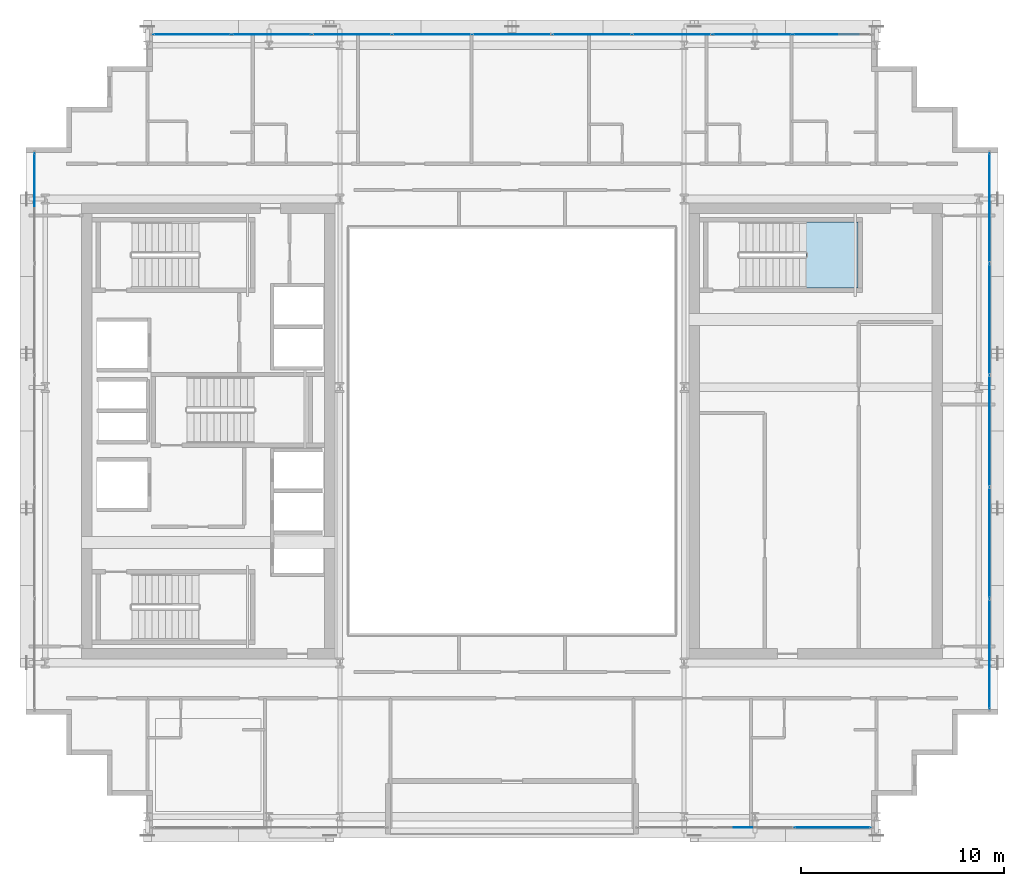
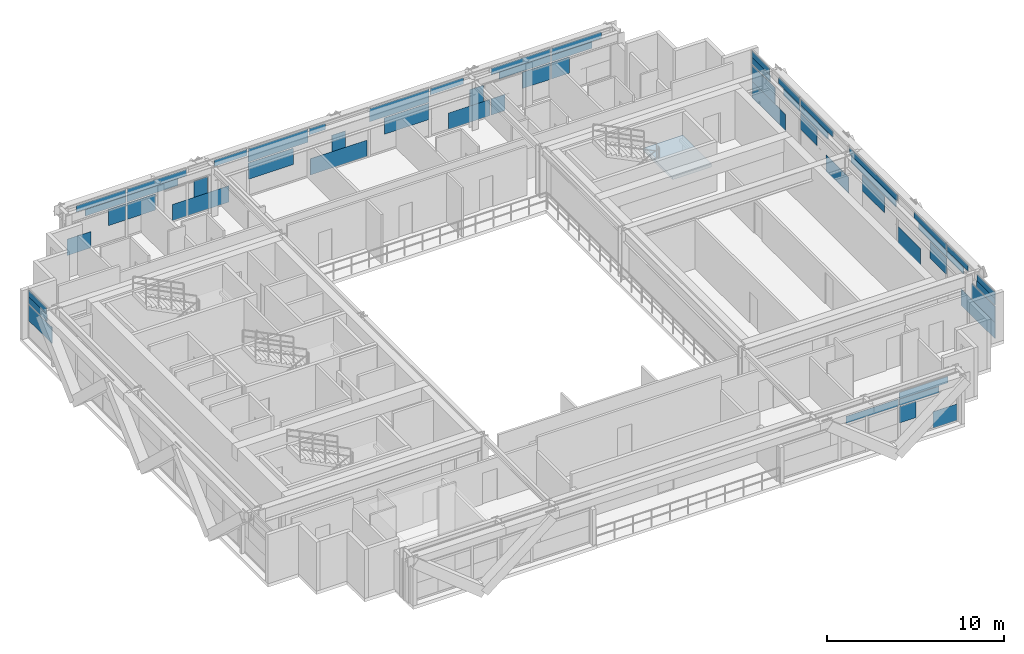
# One storey, part 21 of 32: 59 plates, 1 slab, 5 elements without a shape of their own.
"""IFC4 building model written with IfcOpenShell, lengths in metres."""

from ifc_helpers import new_model, si_unit, direction, frame, origin, origin_2d, place, context, subcontext, project, spatial, polyline, rectangle, outline, extrude, source, transform, mapped, material, layer, layer_set, type_object, element, aggregate, save


model = new_model("IFC4")

# Units and contexts
model_context = context("Model", 3, precision=1e-05, world=origin(), true_north=direction((0.0, 1.0)))
body_context = subcontext(model_context, "Body", "Model", "MODEL_VIEW")
ifc_project = project(units=[si_unit("LENGTHUNIT", "METRE"), si_unit("AREAUNIT", "SQUARE_METRE"), si_unit("VOLUMEUNIT", "CUBIC_METRE"), si_unit("PLANEANGLEUNIT", "RADIAN"), si_unit("MASSUNIT", "GRAM", prefix="KILO")], contexts=[model_context])

# Site, building, storey
site_placement = place(None, origin())
site = spatial("IfcSite", under=ifc_project, at=site_placement, CompositionType="ELEMENT")
building_placement = place(site_placement, origin())
building = spatial("IfcBuilding", under=site, at=building_placement, Name="Ocotamira Hotel", CompositionType="ELEMENT")
storey_placement = place(building_placement, frame((0.0, 0.0, 184.800048828125)))
storey = spatial("IfcBuildingStorey", under=building, at=storey_placement, Name="L46", CompositionType="ELEMENT", Elevation=184.800048828125)

# Stair, slab
ifc_material_1 = material(Name="Concrete C40/50", Category="concrete")
stair_type = type_object("IfcStairType", Name="ST-CORE-1560", PredefinedType="HALF_TURN_STAIR", material=ifc_material_1)
stair_placement = place(storey_placement, origin())
stair = element("IfcStair", 1, at=stair_placement, inside=storey, type_object=stair_type, Name="L46 Exit Stair ST-4", PredefinedType="HALF_TURN_STAIR")
ifc_layer_1 = layer(ifc_material_1, 0.199951171875)
ifc_layer_set_1 = layer_set([ifc_layer_1], Name="Concrete C40/50")
slab_type = type_object("IfcSlabType", Name="SLB-LAND-200", PredefinedType="LANDING", material=ifc_layer_set_1)
slab_placement = place(storey_placement, frame((0.0, 0.0, 1.599853515625)))
slab = element("IfcSlab", 2, at=slab_placement, type_object=slab_type, Name="ST-4 landing 1", PredefinedType="LANDING", context=body_context, shape_type="SweptSolid", body=[
    extrude(outline(polyline([(46.530029296875, 33.050048828125), (49.090087890625, 33.050048828125), (49.090087890625, 36.330078125), (46.530029296875, 36.330078125), (46.530029296875, 33.050048828125)])), origin(), (0.0, 0.0, 1.0), 0.2001953125),
])
aggregate(stair, [slab])

# Curtain wall, plate
ifc_material_2 = material(Name="Anodised pale-metal aluminium and solar glass", Category="aluminium")
ifc_layer_2 = layer(ifc_material_2, 0.199951171875)
ifc_layer_set_2 = layer_set([ifc_layer_2], Name="Anodised pale-metal aluminium and solar glass")
curtain_wall_type = type_object("IfcCurtainWallType", Name="CW-SYS4-Z3", PredefinedType="NOTDEFINED", material=ifc_layer_set_2)
curtain_wall_1_placement = place(storey_placement, origin())
curtain_wall_1 = element("IfcCurtainWall", 3, at=curtain_wall_1_placement, inside=storey, type_object=curtain_wall_type, Name="L46 Curtain Wall CW-4 CW-L46-S2", PredefinedType="NOTDEFINED")
ifc_material_3 = material(Name="Double-silver low-E insulated solar glass", Category="glass")
ifc_layer_3 = layer(ifc_material_3, 0.031982421875)
ifc_layer_set_3 = layer_set([ifc_layer_3], Name="Double-silver low-E insulated solar glass")
plate_type = type_object("IfcPlateType", Name="CWP-VISION-32", PredefinedType="CURTAIN_PANEL", material=ifc_layer_set_3)
shared_shape_1 = source(origin(), body_context, "Body", "SweptSolid", [
    extrude(rectangle(XDim=1.5673828125, YDim=0.031982421875, at=origin_2d()), origin(), (0.0, 0.0, 1.0), 1.118896484375),
])
plate_1_placement = place(storey_placement, frame((48.936279296875, 6.419921875, 0.07470703125), z_axis=(0.0, 0.0, 1.0), x_axis=(1.0, 0.0, 0.0)))
plate_1 = element("IfcPlate", 4, at=plate_1_placement, type_object=plate_type, Name="CW-4 panel 3.1.2", PredefinedType="CURTAIN_PANEL", context=body_context, shape_type="MappedRepresentation", body=[
    mapped(shared_shape_1, transform((0.0, 0.0, 0.0), scale=1.0)),
])

# Curtain wall, plates
curtain_wall_2_placement = place(storey_placement, origin())
curtain_wall_2 = element("IfcCurtainWall", 5, at=curtain_wall_2_placement, inside=storey, type_object=curtain_wall_type, Name="L46 Curtain Wall CW-4 CW-L46-N", PredefinedType="NOTDEFINED")
plate_2_placement = place(storey_placement, frame((15.063720703125, 45.580078125, 0.07470703125), z_axis=(0.0, 0.0, 1.0), x_axis=(1.0, 0.0, 0.0)))
plate_2 = element("IfcPlate", 6, at=plate_2_placement, type_object=plate_type, Name="CW-4 panel 1.1.1", PredefinedType="CURTAIN_PANEL", context=body_context, shape_type="MappedRepresentation", body=[
    mapped(shared_shape_1, transform((0.0, 0.0, 0.0), scale=1.0)),
])
shared_shape_2 = source(origin(), body_context, "Body", "SweptSolid", [
    extrude(rectangle(XDim=3.233154296875, YDim=0.031982421875, at=origin_2d()), origin(), (0.0, 0.0, 1.0), 0.4326171875),
])
plate_3_placement = place(storey_placement, frame((16.4990234375, 45.580078125, 2.8623046875), z_axis=(0.0, 0.0, 1.0), x_axis=(1.0, 0.0, 0.0)))
plate_3 = element("IfcPlate", 7, at=plate_3_placement, type_object=plate_type, Name="CW-4 panel 1.2.1", PredefinedType="CURTAIN_PANEL", context=body_context, shape_type="MappedRepresentation", body=[
    mapped(shared_shape_2, transform((0.0, 0.0, 0.0), scale=1.0)),
])
plate_4_placement = place(storey_placement, frame((47.5009765625, 45.580078125, 2.8623046875), z_axis=(0.0, 0.0, 1.0), x_axis=(1.0, 0.0, 0.0)))
plate_4 = element("IfcPlate", 8, at=plate_4_placement, type_object=plate_type, Name="CW-4 panel 9.2.2", PredefinedType="CURTAIN_PANEL", context=body_context, shape_type="MappedRepresentation", body=[
    mapped(shared_shape_2, transform((0.0, 0.0, 0.0), scale=1.0)),
])
shared_shape_3 = source(origin(), body_context, "Body", "SweptSolid", [
    extrude(rectangle(XDim=2.6396484375, YDim=0.031982421875, at=origin_2d()), origin(), (0.0, 0.0, 1.0), 0.443603515625),
])
plate_5_placement = place(storey_placement, frame((16.795654296875, 45.580078125, 2.38720703125), z_axis=(0.0, 0.0, 1.0), x_axis=(1.0, 0.0, 0.0)))
plate_5 = element("IfcPlate", 9, at=plate_5_placement, type_object=plate_type, Name="CW-4 panel 1.2.2", PredefinedType="CURTAIN_PANEL", context=body_context, shape_type="MappedRepresentation", body=[
    mapped(shared_shape_3, transform((0.0, 0.0, 0.0), scale=1.0)),
])
plate_6_placement = place(storey_placement, frame((47.204345703125, 45.580078125, 2.38720703125), z_axis=(0.0, 0.0, 1.0), x_axis=(1.0, 0.0, 0.0)))
plate_6 = element("IfcPlate", 10, at=plate_6_placement, type_object=plate_type, Name="CW-4 panel 9.2.1", PredefinedType="CURTAIN_PANEL", context=body_context, shape_type="MappedRepresentation", body=[
    mapped(shared_shape_3, transform((0.0, 0.0, 0.0), scale=1.0)),
])
shared_shape_4 = source(origin(), body_context, "Body", "SweptSolid", [
    extrude(rectangle(XDim=0.918701171875, YDim=0.031982421875, at=origin_2d()), origin(), (0.0, 0.0, 1.0), 1.118896484375),
])
plate_7_placement = place(storey_placement, frame((21.61181640625, 45.580078125, 0.07470703125), z_axis=(0.0, 0.0, 1.0), x_axis=(1.0, 0.0, 0.0)))
plate_7 = element("IfcPlate", 11, at=plate_7_placement, type_object=plate_type, Name="CW-4 panel 2.1.2", PredefinedType="CURTAIN_PANEL", context=body_context, shape_type="MappedRepresentation", body=[
    mapped(shared_shape_4, transform((0.0, 0.0, 0.0), scale=1.0)),
])
plate_8_placement = place(storey_placement, frame((42.38818359375, 45.580078125, 0.07470703125), z_axis=(0.0, 0.0, 1.0), x_axis=(1.0, 0.0, 0.0)))
plate_8 = element("IfcPlate", 12, at=plate_8_placement, type_object=plate_type, Name="CW-4 panel 8.1.1", PredefinedType="CURTAIN_PANEL", context=body_context, shape_type="MappedRepresentation", body=[
    mapped(shared_shape_4, transform((0.0, 0.0, 0.0), scale=1.0)),
])
shared_shape_5 = source(origin(), body_context, "Body", "SweptSolid", [
    extrude(rectangle(XDim=3.32861328125, YDim=0.031982421875, at=origin_2d()), origin(), (0.0, 0.0, 1.0), 0.474853515625),
])
plate_9_placement = place(storey_placement, frame((19.85986328125, 45.580078125, 2.38720703125), z_axis=(0.0, 0.0, 1.0), x_axis=(1.0, 0.0, 0.0)))
plate_9 = element("IfcPlate", 13, at=plate_9_placement, type_object=plate_type, Name="CW-4 panel 2.2.1", PredefinedType="CURTAIN_PANEL", context=body_context, shape_type="MappedRepresentation", body=[
    mapped(shared_shape_5, transform((0.0, 0.0, 0.0), scale=1.0)),
])
plate_10_placement = place(storey_placement, frame((44.14013671875, 45.580078125, 2.38720703125), z_axis=(0.0, 0.0, 1.0), x_axis=(1.0, 0.0, 0.0)))
plate_10 = element("IfcPlate", 14, at=plate_10_placement, type_object=plate_type, Name="CW-4 panel 8.2.2", PredefinedType="CURTAIN_PANEL", context=body_context, shape_type="MappedRepresentation", body=[
    mapped(shared_shape_5, transform((0.0, 0.0, 0.0), scale=1.0)),
])
shared_shape_6 = source(origin(), body_context, "Body", "SweptSolid", [
    extrude(rectangle(XDim=3.87548828125, YDim=0.031982421875, at=origin_2d()), origin(), (0.0, 0.0, 1.0), 0.4326171875),
])
plate_11_placement = place(storey_placement, frame((20.13330078125, 45.580078125, 2.8623046875), z_axis=(0.0, 0.0, 1.0), x_axis=(1.0, 0.0, 0.0)))
plate_11 = element("IfcPlate", 15, at=plate_11_placement, type_object=plate_type, Name="CW-4 panel 2.2.2", PredefinedType="CURTAIN_PANEL", context=body_context, shape_type="MappedRepresentation", body=[
    mapped(shared_shape_6, transform((0.0, 0.0, 0.0), scale=1.0)),
])
plate_12_placement = place(storey_placement, frame((43.86669921875, 45.580078125, 2.8623046875), z_axis=(0.0, 0.0, 1.0), x_axis=(1.0, 0.0, 0.0)))
plate_12 = element("IfcPlate", 16, at=plate_12_placement, type_object=plate_type, Name="CW-4 panel 8.2.1", PredefinedType="CURTAIN_PANEL", context=body_context, shape_type="MappedRepresentation", body=[
    mapped(shared_shape_6, transform((0.0, 0.0, 0.0), scale=1.0)),
])
shared_shape_7 = source(origin(), body_context, "Body", "SweptSolid", [
    extrude(rectangle(XDim=2.6962890625, YDim=0.031982421875, at=origin_2d()), origin(), (0.0, 0.0, 1.0), 1.118896484375),
])
plate_13_placement = place(storey_placement, frame((23.499267578125, 45.580078125, 0.07470703125), z_axis=(0.0, 0.0, 1.0), x_axis=(1.0, 0.0, 0.0)))
plate_13 = element("IfcPlate", 17, at=plate_13_placement, type_object=plate_type, Name="CW-4 panel 3.1.1", PredefinedType="CURTAIN_PANEL", context=body_context, shape_type="MappedRepresentation", body=[
    mapped(shared_shape_7, transform((0.0, 0.0, 0.0), scale=1.0)),
])
plate_14_placement = place(storey_placement, frame((40.500732421875, 45.580078125, 0.07470703125), z_axis=(0.0, 0.0, 1.0), x_axis=(1.0, 0.0, 0.0)))
plate_14 = element("IfcPlate", 18, at=plate_14_placement, type_object=plate_type, Name="CW-4 panel 7.1.1", PredefinedType="CURTAIN_PANEL", context=body_context, shape_type="MappedRepresentation", body=[
    mapped(shared_shape_7, transform((0.0, 0.0, 0.0), scale=1.0)),
])
shared_shape_8 = source(origin(), body_context, "Body", "SweptSolid", [
    extrude(rectangle(XDim=2.144287109375, YDim=0.031982421875, at=origin_2d()), origin(), (0.0, 0.0, 1.0), 0.4326171875),
])
plate_15_placement = place(storey_placement, frame((24.95458984375, 45.580078125, 2.8623046875), z_axis=(0.0, 0.0, 1.0), x_axis=(1.0, 0.0, 0.0)))
plate_15 = element("IfcPlate", 19, at=plate_15_placement, type_object=plate_type, Name="CW-4 panel 3.2.1", PredefinedType="CURTAIN_PANEL", context=body_context, shape_type="MappedRepresentation", body=[
    mapped(shared_shape_8, transform((0.0, 0.0, 0.0), scale=1.0)),
])
plate_16_placement = place(storey_placement, frame((39.04541015625, 45.580078125, 2.8623046875), z_axis=(0.0, 0.0, 1.0), x_axis=(1.0, 0.0, 0.0)))
plate_16 = element("IfcPlate", 20, at=plate_16_placement, type_object=plate_type, Name="CW-4 panel 7.2.1", PredefinedType="CURTAIN_PANEL", context=body_context, shape_type="MappedRepresentation", body=[
    mapped(shared_shape_8, transform((0.0, 0.0, 0.0), scale=1.0)),
])
shared_shape_9 = source(origin(), body_context, "Body", "SweptSolid", [
    extrude(rectangle(XDim=3.87548828125, YDim=0.031982421875, at=origin_2d()), origin(), (0.0, 0.0, 1.0), 0.907470703125),
])
plate_17_placement = place(storey_placement, frame((28.04443359375, 45.580078125, 2.3876953125), z_axis=(0.0, 0.0, 1.0), x_axis=(1.0, 0.0, 0.0)))
plate_17 = element("IfcPlate", 21, at=plate_17_placement, type_object=plate_type, Name="CW-4 panel 4.2", PredefinedType="CURTAIN_PANEL", context=body_context, shape_type="MappedRepresentation", body=[
    mapped(shared_shape_9, transform((0.0, 0.0, 0.0), scale=1.0)),
])
plate_18_placement = place(storey_placement, frame((35.95556640625, 45.580078125, 2.3876953125), z_axis=(0.0, 0.0, 1.0), x_axis=(1.0, 0.0, 0.0)))
plate_18 = element("IfcPlate", 22, at=plate_18_placement, type_object=plate_type, Name="CW-4 panel 6.2", PredefinedType="CURTAIN_PANEL", context=body_context, shape_type="MappedRepresentation", body=[
    mapped(shared_shape_9, transform((0.0, 0.0, 0.0), scale=1.0)),
])
shared_shape_10 = source(origin(), body_context, "Body", "SweptSolid", [
    extrude(rectangle(XDim=3.695068359375, YDim=0.031982421875, at=origin_2d()), origin(), (0.0, 0.0, 1.0), 1.118896484375),
])
plate_19_placement = place(storey_placement, frame((32.0, 45.580078125, 0.07470703125), z_axis=(0.0, 0.0, 1.0), x_axis=(1.0, 0.0, 0.0)))
plate_19 = element("IfcPlate", 23, at=plate_19_placement, type_object=plate_type, Name="CW-4 panel 5.1.1", PredefinedType="CURTAIN_PANEL", context=body_context, shape_type="MappedRepresentation", body=[
    mapped(shared_shape_10, transform((0.0, 0.0, 0.0), scale=1.0)),
])
shared_shape_11 = source(origin(), body_context, "Body", "SweptSolid", [
    extrude(rectangle(XDim=1.055419921875, YDim=0.031982421875, at=origin_2d()), origin(), (0.0, 0.0, 1.0), 0.4326171875),
])
plate_20_placement = place(storey_placement, frame((30.58984375, 45.580078125, 2.8623046875), z_axis=(0.0, 0.0, 1.0), x_axis=(1.0, 0.0, 0.0)))
plate_20 = element("IfcPlate", 24, at=plate_20_placement, type_object=plate_type, Name="CW-4 panel 5.2.1", PredefinedType="CURTAIN_PANEL", context=body_context, shape_type="MappedRepresentation", body=[
    mapped(shared_shape_11, transform((0.0, 0.0, 0.0), scale=1.0)),
])

curtain_wall_3_placement = place(storey_placement, origin())
curtain_wall_3 = element("IfcCurtainWall", 25, at=curtain_wall_3_placement, inside=storey, type_object=curtain_wall_type, Name="L46 Curtain Wall CW-4 CW-L46-E", PredefinedType="NOTDEFINED")
shared_shape_12 = source(origin(), body_context, "Body", "SweptSolid", [
    extrude(rectangle(XDim=3.802001953125, YDim=0.031982421875, at=origin_2d()), origin(), (0.0, 0.0, 1.0), 1.118896484375),
])
plate_21_placement = place(storey_placement, frame((55.580078125, 14.180908203125, 0.07470703125), z_axis=(0.0, 0.0, 1.0), x_axis=(0.0, 1.0, 0.0)))
plate_21 = element("IfcPlate", 26, at=plate_21_placement, type_object=plate_type, Name="CW-4 panel 1.1.1", PredefinedType="CURTAIN_PANEL", context=body_context, shape_type="MappedRepresentation", body=[
    mapped(shared_shape_12, transform((0.0, 0.0, 0.0), scale=1.0)),
])
plate_22_placement = place(storey_placement, frame((55.580078125, 37.819091796875, 0.07470703125), z_axis=(0.0, 0.0, 1.0), x_axis=(0.0, 1.0, 0.0)))
plate_22 = element("IfcPlate", 27, at=plate_22_placement, type_object=plate_type, Name="CW-4 panel 5.1.1", PredefinedType="CURTAIN_PANEL", context=body_context, shape_type="MappedRepresentation", body=[
    mapped(shared_shape_12, transform((0.0, 0.0, 0.0), scale=1.0)),
])

# Curtain wall, plate
curtain_wall_4_placement = place(storey_placement, origin())
curtain_wall_4 = element("IfcCurtainWall", 28, at=curtain_wall_4_placement, inside=storey, type_object=curtain_wall_type, Name="L46 Curtain Wall CW-4 CW-L46-W", PredefinedType="NOTDEFINED")
shared_shape_13 = source(origin(), body_context, "Body", "SweptSolid", [
    extrude(rectangle(XDim=2.048095703125, YDim=0.031982421875, at=origin_2d()), origin(), (0.0, 0.0, 1.0), 0.460693359375),
])
plate_23_placement = place(storey_placement, frame((8.419921875, 38.696044921875, 2.3876953125), z_axis=(0.0, 0.0, 1.0), x_axis=(0.0, 1.0, 0.0)))
plate_23 = element("IfcPlate", 29, at=plate_23_placement, type_object=plate_type, Name="CW-4 panel 5.2.3", PredefinedType="CURTAIN_PANEL", context=body_context, shape_type="MappedRepresentation", body=[
    mapped(shared_shape_13, transform((0.0, 0.0, 0.0), scale=1.0)),
])

# Plate
plate_24_placement = place(storey_placement, frame((55.580078125, 13.303955078125, 2.3876953125), z_axis=(0.0, 0.0, 1.0), x_axis=(0.0, 1.0, 0.0)))
plate_24 = element("IfcPlate", 30, at=plate_24_placement, type_object=plate_type, Name="CW-4 panel 1.2.1", PredefinedType="CURTAIN_PANEL", context=body_context, shape_type="MappedRepresentation", body=[
    mapped(shared_shape_13, transform((0.0, 0.0, 0.0), scale=1.0)),
])

plate_25_placement = place(storey_placement, frame((55.580078125, 38.696044921875, 2.3876953125), z_axis=(0.0, 0.0, 1.0), x_axis=(0.0, 1.0, 0.0)))
plate_25 = element("IfcPlate", 31, at=plate_25_placement, type_object=plate_type, Name="CW-4 panel 5.2.3", PredefinedType="CURTAIN_PANEL", context=body_context, shape_type="MappedRepresentation", body=[
    mapped(shared_shape_13, transform((0.0, 0.0, 0.0), scale=1.0)),
])

shared_shape_14 = source(origin(), body_context, "Body", "SweptSolid", [
    extrude(rectangle(XDim=2.01171875, YDim=0.031982421875, at=origin_2d()), origin(), (0.0, 0.0, 1.0), 0.44677734375),
])
plate_26_placement = place(storey_placement, frame((8.419921875, 38.714111328125, 2.84814453125), z_axis=(0.0, 0.0, 1.0), x_axis=(0.0, 1.0, 0.0)))
plate_26 = element("IfcPlate", 32, at=plate_26_placement, type_object=plate_type, Name="CW-4 panel 5.2.4", PredefinedType="CURTAIN_PANEL", context=body_context, shape_type="MappedRepresentation", body=[
    mapped(shared_shape_14, transform((0.0, 0.0, 0.0), scale=1.0)),
])

plate_27_placement = place(storey_placement, frame((55.580078125, 13.285888671875, 2.84814453125), z_axis=(0.0, 0.0, 1.0), x_axis=(0.0, 1.0, 0.0)))
plate_27 = element("IfcPlate", 33, at=plate_27_placement, type_object=plate_type, Name="CW-4 panel 1.2.2", PredefinedType="CURTAIN_PANEL", context=body_context, shape_type="MappedRepresentation", body=[
    mapped(shared_shape_14, transform((0.0, 0.0, 0.0), scale=1.0)),
])

plate_28_placement = place(storey_placement, frame((55.580078125, 38.714111328125, 2.84814453125), z_axis=(0.0, 0.0, 1.0), x_axis=(0.0, 1.0, 0.0)))
plate_28 = element("IfcPlate", 34, at=plate_28_placement, type_object=plate_type, Name="CW-4 panel 5.2.4", PredefinedType="CURTAIN_PANEL", context=body_context, shape_type="MappedRepresentation", body=[
    mapped(shared_shape_14, transform((0.0, 0.0, 0.0), scale=1.0)),
])

shared_shape_15 = source(origin(), body_context, "Body", "SweptSolid", [
    extrude(rectangle(XDim=2.3681640625, YDim=0.031982421875, at=origin_2d()), origin(), (0.0, 0.0, 1.0), 0.41259765625),
])
plate_29_placement = place(storey_placement, frame((55.580078125, 16.495849609375, 2.882568359375), z_axis=(0.0, 0.0, 1.0), x_axis=(0.0, 1.0, 0.0)))
plate_29 = element("IfcPlate", 35, at=plate_29_placement, type_object=plate_type, Name="CW-4 panel 1.2.3", PredefinedType="CURTAIN_PANEL", context=body_context, shape_type="MappedRepresentation", body=[
    mapped(shared_shape_15, transform((0.0, 0.0, 0.0), scale=1.0)),
])

plate_30_placement = place(storey_placement, frame((55.580078125, 35.504150390625, 2.882568359375), z_axis=(0.0, 0.0, 1.0), x_axis=(0.0, 1.0, 0.0)))
plate_30 = element("IfcPlate", 36, at=plate_30_placement, type_object=plate_type, Name="CW-4 panel 5.2.2", PredefinedType="CURTAIN_PANEL", context=body_context, shape_type="MappedRepresentation", body=[
    mapped(shared_shape_15, transform((0.0, 0.0, 0.0), scale=1.0)),
])

shared_shape_16 = source(origin(), body_context, "Body", "SweptSolid", [
    extrude(rectangle(XDim=1.84326171875, YDim=0.031982421875, at=origin_2d()), origin(), (0.0, 0.0, 1.0), 0.460693359375),
])
plate_31_placement = place(storey_placement, frame((55.580078125, 16.75830078125, 2.3876953125), z_axis=(0.0, 0.0, 1.0), x_axis=(0.0, 1.0, 0.0)))
plate_31 = element("IfcPlate", 37, at=plate_31_placement, type_object=plate_type, Name="CW-4 panel 1.2.4", PredefinedType="CURTAIN_PANEL", context=body_context, shape_type="MappedRepresentation", body=[
    mapped(shared_shape_16, transform((0.0, 0.0, 0.0), scale=1.0)),
])

plate_32_placement = place(storey_placement, frame((55.580078125, 35.24169921875, 2.3876953125), z_axis=(0.0, 0.0, 1.0), x_axis=(0.0, 1.0, 0.0)))
plate_32 = element("IfcPlate", 38, at=plate_32_placement, type_object=plate_type, Name="CW-4 panel 5.2.1", PredefinedType="CURTAIN_PANEL", context=body_context, shape_type="MappedRepresentation", body=[
    mapped(shared_shape_16, transform((0.0, 0.0, 0.0), scale=1.0)),
])

shared_shape_17 = source(origin(), body_context, "Body", "SweptSolid", [
    extrude(rectangle(XDim=2.548828125, YDim=0.031982421875, at=origin_2d()), origin(), (0.0, 0.0, 1.0), 1.118896484375),
])
plate_33_placement = place(storey_placement, frame((55.580078125, 21.925537109375, 0.07470703125), z_axis=(0.0, 0.0, 1.0), x_axis=(0.0, 1.0, 0.0)))
plate_33 = element("IfcPlate", 39, at=plate_33_placement, type_object=plate_type, Name="CW-4 panel 2.1.2", PredefinedType="CURTAIN_PANEL", context=body_context, shape_type="MappedRepresentation", body=[
    mapped(shared_shape_17, transform((0.0, 0.0, 0.0), scale=1.0)),
])

plate_34_placement = place(storey_placement, frame((55.580078125, 30.074462890625, 0.07470703125), z_axis=(0.0, 0.0, 1.0), x_axis=(0.0, 1.0, 0.0)))
plate_34 = element("IfcPlate", 40, at=plate_34_placement, type_object=plate_type, Name="CW-4 panel 4.1.1", PredefinedType="CURTAIN_PANEL", context=body_context, shape_type="MappedRepresentation", body=[
    mapped(shared_shape_17, transform((0.0, 0.0, 0.0), scale=1.0)),
])

shared_shape_18 = source(origin(), body_context, "Body", "SweptSolid", [
    extrude(rectangle(XDim=3.13671875, YDim=0.031982421875, at=origin_2d()), origin(), (0.0, 0.0, 1.0), 0.460693359375),
])
plate_35_placement = place(storey_placement, frame((55.580078125, 19.328369140625, 2.3876953125), z_axis=(0.0, 0.0, 1.0), x_axis=(0.0, 1.0, 0.0)))
plate_35 = element("IfcPlate", 41, at=plate_35_placement, type_object=plate_type, Name="CW-4 panel 2.2.1", PredefinedType="CURTAIN_PANEL", context=body_context, shape_type="MappedRepresentation", body=[
    mapped(shared_shape_18, transform((0.0, 0.0, 0.0), scale=1.0)),
])

plate_36_placement = place(storey_placement, frame((55.580078125, 32.671630859375, 2.3876953125), z_axis=(0.0, 0.0, 1.0), x_axis=(0.0, 1.0, 0.0)))
plate_36 = element("IfcPlate", 42, at=plate_36_placement, type_object=plate_type, Name="CW-4 panel 4.2.2", PredefinedType="CURTAIN_PANEL", context=body_context, shape_type="MappedRepresentation", body=[
    mapped(shared_shape_18, transform((0.0, 0.0, 0.0), scale=1.0)),
])

shared_shape_19 = source(origin(), body_context, "Body", "SweptSolid", [
    extrude(rectangle(XDim=3.66162109375, YDim=0.031982421875, at=origin_2d()), origin(), (0.0, 0.0, 1.0), 0.41259765625),
])
plate_37_placement = place(storey_placement, frame((55.580078125, 19.5908203125, 2.882568359375), z_axis=(0.0, 0.0, 1.0), x_axis=(0.0, 1.0, 0.0)))
plate_37 = element("IfcPlate", 43, at=plate_37_placement, type_object=plate_type, Name="CW-4 panel 2.2.2", PredefinedType="CURTAIN_PANEL", context=body_context, shape_type="MappedRepresentation", body=[
    mapped(shared_shape_19, transform((0.0, 0.0, 0.0), scale=1.0)),
])

plate_38_placement = place(storey_placement, frame((55.580078125, 32.4091796875, 2.882568359375), z_axis=(0.0, 0.0, 1.0), x_axis=(0.0, 1.0, 0.0)))
plate_38 = element("IfcPlate", 44, at=plate_38_placement, type_object=plate_type, Name="CW-4 panel 4.2.1", PredefinedType="CURTAIN_PANEL", context=body_context, shape_type="MappedRepresentation", body=[
    mapped(shared_shape_19, transform((0.0, 0.0, 0.0), scale=1.0)),
])

shared_shape_20 = source(origin(), body_context, "Body", "SweptSolid", [
    extrude(rectangle(XDim=5.43994140625, YDim=0.031982421875, at=origin_2d()), origin(), (0.0, 0.0, 1.0), 0.41259765625),
])
plate_39_placement = place(storey_placement, frame((55.580078125, 26.0, 2.882568359375), z_axis=(0.0, 0.0, 1.0), x_axis=(0.0, 1.0, 0.0)))
plate_39 = element("IfcPlate", 45, at=plate_39_placement, type_object=plate_type, Name="CW-4 panel 3.2.1", PredefinedType="CURTAIN_PANEL", context=body_context, shape_type="MappedRepresentation", body=[
    mapped(shared_shape_20, transform((0.0, 0.0, 0.0), scale=1.0)),
])

shared_shape_21 = source(origin(), body_context, "Body", "SweptSolid", [
    extrude(rectangle(XDim=5.06005859375, YDim=0.031982421875, at=origin_2d()), origin(), (0.0, 0.0, 1.0), 0.4951171875),
])
plate_40_placement = place(storey_placement, frame((55.580078125, 26.0, 2.387451171875), z_axis=(0.0, 0.0, 1.0), x_axis=(0.0, 1.0, 0.0)))
plate_40 = element("IfcPlate", 46, at=plate_40_placement, type_object=plate_type, Name="CW-4 panel 3.2.2", PredefinedType="CURTAIN_PANEL", context=body_context, shape_type="MappedRepresentation", body=[
    mapped(shared_shape_21, transform((0.0, 0.0, 0.0), scale=1.0)),
])

shared_shape_22 = source(origin(), body_context, "Body", "SweptSolid", [
    extrude(rectangle(XDim=0.898193359375, YDim=0.031982421875, at=origin_2d()), origin(), (0.0, 0.0, 1.0), 1.118896484375),
])
plate_41_placement = place(storey_placement, frame((23.0, 45.580078125, 1.193359375), z_axis=(0.0, 0.0, 1.0), x_axis=(1.0, 0.0, 0.0)))
plate_41 = element("IfcPlate", 47, at=plate_41_placement, type_object=plate_type, Name="CW-4 panel 3.1.2", PredefinedType="CURTAIN_PANEL", context=body_context, shape_type="MappedRepresentation", body=[
    mapped(shared_shape_22, transform((0.0, 0.0, 0.0), scale=1.0)),
])

plate_42_placement = place(storey_placement, frame((32.0, 45.580078125, 1.193359375), z_axis=(0.0, 0.0, 1.0), x_axis=(1.0, 0.0, 0.0)))
plate_42 = element("IfcPlate", 48, at=plate_42_placement, type_object=plate_type, Name="CW-4 panel 5.1.2", PredefinedType="CURTAIN_PANEL", context=body_context, shape_type="MappedRepresentation", body=[
    mapped(shared_shape_22, transform((0.0, 0.0, 0.0), scale=1.0)),
])

plate_43_placement = place(storey_placement, frame((41.0, 45.580078125, 1.193359375), z_axis=(0.0, 0.0, 1.0), x_axis=(1.0, 0.0, 0.0)))
plate_43 = element("IfcPlate", 49, at=plate_43_placement, type_object=plate_type, Name="CW-4 panel 7.1.2", PredefinedType="CURTAIN_PANEL", context=body_context, shape_type="MappedRepresentation", body=[
    mapped(shared_shape_22, transform((0.0, 0.0, 0.0), scale=1.0)),
])

shared_shape_23 = source(origin(), body_context, "Body", "SweptSolid", [
    extrude(rectangle(XDim=1.0751953125, YDim=0.031982421875, at=origin_2d()), origin(), (0.0, 0.0, 1.0), 1.118896484375),
])
plate_44_placement = place(storey_placement, frame((46.494384765625, 6.419921875, 1.193359375), z_axis=(0.0, 0.0, 1.0), x_axis=(1.0, 0.0, 0.0)))
plate_44 = element("IfcPlate", 50, at=plate_44_placement, type_object=plate_type, Name="CW-4 panel 3.1.1", PredefinedType="CURTAIN_PANEL", context=body_context, shape_type="MappedRepresentation", body=[
    mapped(shared_shape_23, transform((0.0, 0.0, 0.0), scale=1.0)),
])

shared_shape_24 = source(origin(), body_context, "Body", "SweptSolid", [
    extrude(rectangle(XDim=3.160888671875, YDim=0.031982421875, at=origin_2d()), origin(), (0.0, 0.0, 1.0), 0.4326171875),
])
plate_45_placement = place(storey_placement, frame((47.537109375, 6.419921875, 2.8623046875), z_axis=(0.0, 0.0, 1.0), x_axis=(1.0, 0.0, 0.0)))
plate_45 = element("IfcPlate", 51, at=plate_45_placement, type_object=plate_type, Name="CW-4 panel 3.2.2", PredefinedType="CURTAIN_PANEL", context=body_context, shape_type="MappedRepresentation", body=[
    mapped(shared_shape_24, transform((0.0, 0.0, 0.0), scale=1.0)),
])

shared_shape_25 = source(origin(), body_context, "Body", "SweptSolid", [
    extrude(rectangle(XDim=2.5673828125, YDim=0.031982421875, at=origin_2d()), origin(), (0.0, 0.0, 1.0), 0.443603515625),
])
plate_46_placement = place(storey_placement, frame((47.240478515625, 6.419921875, 2.38720703125), z_axis=(0.0, 0.0, 1.0), x_axis=(1.0, 0.0, 0.0)))
plate_46 = element("IfcPlate", 52, at=plate_46_placement, type_object=plate_type, Name="CW-4 panel 3.2.1", PredefinedType="CURTAIN_PANEL", context=body_context, shape_type="MappedRepresentation", body=[
    mapped(shared_shape_25, transform((0.0, 0.0, 0.0), scale=1.0)),
])

shared_shape_26 = source(origin(), body_context, "Body", "SweptSolid", [
    extrude(rectangle(XDim=3.40087890625, YDim=0.031982421875, at=origin_2d()), origin(), (0.0, 0.0, 1.0), 0.474853515625),
])
plate_47_placement = place(storey_placement, frame((44.17626953125, 6.419921875, 2.38720703125), z_axis=(0.0, 0.0, 1.0), x_axis=(1.0, 0.0, 0.0)))
plate_47 = element("IfcPlate", 53, at=plate_47_placement, type_object=plate_type, Name="CW-4 panel 2.2.2", PredefinedType="CURTAIN_PANEL", context=body_context, shape_type="MappedRepresentation", body=[
    mapped(shared_shape_26, transform((0.0, 0.0, 0.0), scale=1.0)),
])

aggregate(curtain_wall_1, [plate_47, plate_44, plate_1, plate_46, plate_45])

shared_shape_27 = source(origin(), body_context, "Body", "SweptSolid", [
    extrude(rectangle(XDim=1.1474609375, YDim=0.031982421875, at=origin_2d()), origin(), (0.0, 0.0, 1.0), 1.118896484375),
])
plate_48_placement = place(storey_placement, frame((17.541748046875, 45.580078125, 1.193359375), z_axis=(0.0, 0.0, 1.0), x_axis=(1.0, 0.0, 0.0)))
plate_48 = element("IfcPlate", 54, at=plate_48_placement, type_object=plate_type, Name="CW-4 panel 1.1.2", PredefinedType="CURTAIN_PANEL", context=body_context, shape_type="MappedRepresentation", body=[
    mapped(shared_shape_27, transform((0.0, 0.0, 0.0), scale=1.0)),
])

plate_49_placement = place(storey_placement, frame((46.458251953125, 45.580078125, 1.193359375), z_axis=(0.0, 0.0, 1.0), x_axis=(1.0, 0.0, 0.0)))
plate_49 = element("IfcPlate", 55, at=plate_49_placement, type_object=plate_type, Name="CW-4 panel 9.1.1", PredefinedType="CURTAIN_PANEL", context=body_context, shape_type="MappedRepresentation", body=[
    mapped(shared_shape_27, transform((0.0, 0.0, 0.0), scale=1.0)),
])

shared_shape_28 = source(origin(), body_context, "Body", "SweptSolid", [
    extrude(rectangle(XDim=1.83642578125, YDim=0.031982421875, at=origin_2d()), origin(), (0.0, 0.0, 1.0), 1.118896484375),
])
plate_50_placement = place(storey_placement, frame((19.11376953125, 45.580078125, 1.193359375), z_axis=(0.0, 0.0, 1.0), x_axis=(1.0, 0.0, 0.0)))
plate_50 = element("IfcPlate", 56, at=plate_50_placement, type_object=plate_type, Name="CW-4 panel 2.1.1", PredefinedType="CURTAIN_PANEL", context=body_context, shape_type="MappedRepresentation", body=[
    mapped(shared_shape_28, transform((0.0, 0.0, 0.0), scale=1.0)),
])

plate_51_placement = place(storey_placement, frame((44.88623046875, 45.580078125, 1.193359375), z_axis=(0.0, 0.0, 1.0), x_axis=(1.0, 0.0, 0.0)))
plate_51 = element("IfcPlate", 57, at=plate_51_placement, type_object=plate_type, Name="CW-4 panel 8.1.2", PredefinedType="CURTAIN_PANEL", context=body_context, shape_type="MappedRepresentation", body=[
    mapped(shared_shape_28, transform((0.0, 0.0, 0.0), scale=1.0)),
])

shared_shape_29 = source(origin(), body_context, "Body", "SweptSolid", [
    extrude(rectangle(XDim=2.92529296875, YDim=0.031982421875, at=origin_2d()), origin(), (0.0, 0.0, 1.0), 1.118896484375),
])
plate_52_placement = place(storey_placement, frame((27.5693359375, 45.580078125, 1.193359375), z_axis=(0.0, 0.0, 1.0), x_axis=(1.0, 0.0, 0.0)))
plate_52 = element("IfcPlate", 58, at=plate_52_placement, type_object=plate_type, Name="CW-4 panel 4.1.1", PredefinedType="CURTAIN_PANEL", context=body_context, shape_type="MappedRepresentation", body=[
    mapped(shared_shape_29, transform((0.0, 0.0, 0.0), scale=1.0)),
])

plate_53_placement = place(storey_placement, frame((36.4306640625, 45.580078125, 1.193359375), z_axis=(0.0, 0.0, 1.0), x_axis=(1.0, 0.0, 0.0)))
plate_53 = element("IfcPlate", 59, at=plate_53_placement, type_object=plate_type, Name="CW-4 panel 6.1.1", PredefinedType="CURTAIN_PANEL", context=body_context, shape_type="MappedRepresentation", body=[
    mapped(shared_shape_29, transform((0.0, 0.0, 0.0), scale=1.0)),
])

aggregate(curtain_wall_2, [plate_2, plate_48, plate_3, plate_5, plate_50, plate_7, plate_9, plate_11, plate_13, plate_41, plate_15, plate_52, plate_17, plate_19, plate_42, plate_20, plate_53, plate_18, plate_14, plate_43, plate_16, plate_8, plate_51, plate_12, plate_10, plate_49, plate_6, plate_4])

shared_shape_30 = source(origin(), body_context, "Body", "SweptSolid", [
    extrude(rectangle(XDim=2.615966796875, YDim=0.031982421875, at=origin_2d()), origin(), (0.0, 0.0, 1.0), 1.118896484375),
])
plate_54_placement = place(storey_placement, frame((8.419921875, 38.412109375, 1.193359375), z_axis=(0.0, 0.0, 1.0), x_axis=(0.0, 1.0, 0.0)))
plate_54 = element("IfcPlate", 60, at=plate_54_placement, type_object=plate_type, Name="CW-4 panel 5.1.2", PredefinedType="CURTAIN_PANEL", context=body_context, shape_type="MappedRepresentation", body=[
    mapped(shared_shape_30, transform((0.0, 0.0, 0.0), scale=1.0)),
])

aggregate(curtain_wall_4, [plate_54, plate_23, plate_26])

plate_55_placement = place(storey_placement, frame((55.580078125, 13.587890625, 1.193359375), z_axis=(0.0, 0.0, 1.0), x_axis=(0.0, 1.0, 0.0)))
plate_55 = element("IfcPlate", 61, at=plate_55_placement, type_object=plate_type, Name="CW-4 panel 1.1.2", PredefinedType="CURTAIN_PANEL", context=body_context, shape_type="MappedRepresentation", body=[
    mapped(shared_shape_30, transform((0.0, 0.0, 0.0), scale=1.0)),
])

plate_56_placement = place(storey_placement, frame((55.580078125, 38.412109375, 1.193359375), z_axis=(0.0, 0.0, 1.0), x_axis=(0.0, 1.0, 0.0)))
plate_56 = element("IfcPlate", 62, at=plate_56_placement, type_object=plate_type, Name="CW-4 panel 5.1.2", PredefinedType="CURTAIN_PANEL", context=body_context, shape_type="MappedRepresentation", body=[
    mapped(shared_shape_30, transform((0.0, 0.0, 0.0), scale=1.0)),
])

shared_shape_31 = source(origin(), body_context, "Body", "SweptSolid", [
    extrude(rectangle(XDim=1.87109375, YDim=0.031982421875, at=origin_2d()), origin(), (0.0, 0.0, 1.0), 1.118896484375),
])
plate_57_placement = place(storey_placement, frame((55.580078125, 18.695556640625, 1.193359375), z_axis=(0.0, 0.0, 1.0), x_axis=(0.0, 1.0, 0.0)))
plate_57 = element("IfcPlate", 63, at=plate_57_placement, type_object=plate_type, Name="CW-4 panel 2.1.1", PredefinedType="CURTAIN_PANEL", context=body_context, shape_type="MappedRepresentation", body=[
    mapped(shared_shape_31, transform((0.0, 0.0, 0.0), scale=1.0)),
])

plate_58_placement = place(storey_placement, frame((55.580078125, 33.304443359375, 1.193359375), z_axis=(0.0, 0.0, 1.0), x_axis=(0.0, 1.0, 0.0)))
plate_58 = element("IfcPlate", 64, at=plate_58_placement, type_object=plate_type, Name="CW-4 panel 4.1.2", PredefinedType="CURTAIN_PANEL", context=body_context, shape_type="MappedRepresentation", body=[
    mapped(shared_shape_31, transform((0.0, 0.0, 0.0), scale=1.0)),
])

shared_shape_32 = source(origin(), body_context, "Body", "SweptSolid", [
    extrude(rectangle(XDim=2.52880859375, YDim=0.031982421875, at=origin_2d()), origin(), (0.0, 0.0, 1.0), 1.118896484375),
])
plate_59_placement = place(storey_placement, frame((55.580078125, 26.0, 1.193359375), z_axis=(0.0, 0.0, 1.0), x_axis=(0.0, 1.0, 0.0)))
plate_59 = element("IfcPlate", 65, at=plate_59_placement, type_object=plate_type, Name="CW-4 panel 3.1.1", PredefinedType="CURTAIN_PANEL", context=body_context, shape_type="MappedRepresentation", body=[
    mapped(shared_shape_32, transform((0.0, 0.0, 0.0), scale=1.0)),
])

aggregate(curtain_wall_3, [plate_21, plate_55, plate_24, plate_27, plate_29, plate_31, plate_57, plate_33, plate_35, plate_37, plate_59, plate_39, plate_40, plate_34, plate_58, plate_38, plate_36, plate_22, plate_56, plate_32, plate_30, plate_25, plate_28])

save(model, "model.ifc")
